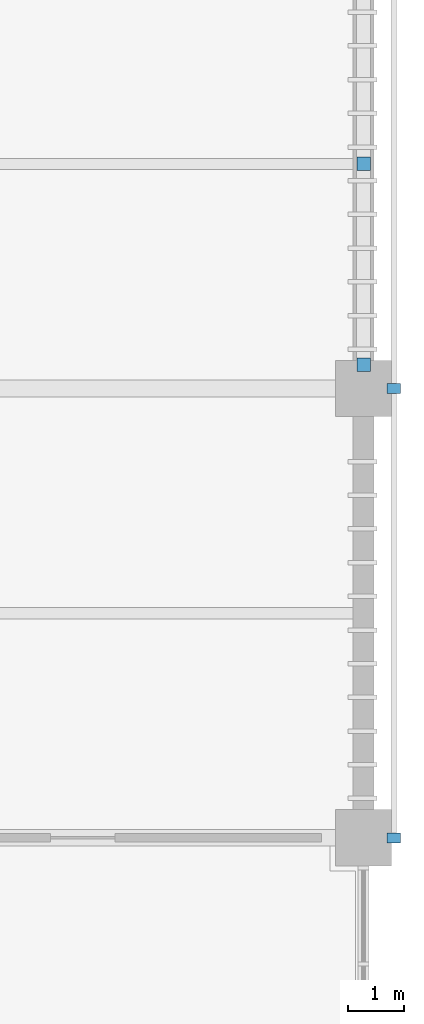
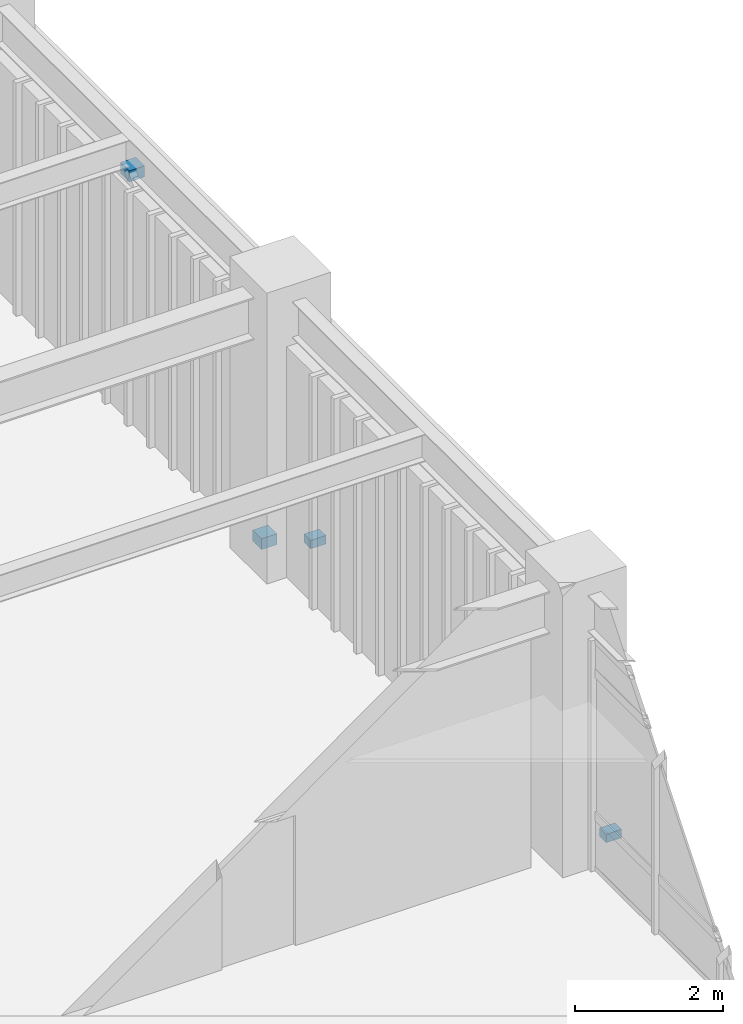
# One storey, part 91 of 117: 4 discrete accessories.
"""IFC4 building model written with IfcOpenShell, lengths in metres."""

from ifc_helpers import new_model, si_unit, direction, frame, origin, origin_2d, place, context, subcontext, project, spatial, rectangle, extrude, material, layer, layer_set, type_object, element, save


model = new_model("IFC4")

# Units and contexts
model_context = context("Model", 3, precision=1e-05, world=origin(), true_north=direction((0.0, 1.0)))
body_context = subcontext(model_context, "Body", "Model", "MODEL_VIEW")
ifc_project = project(units=[si_unit("LENGTHUNIT", "METRE"), si_unit("AREAUNIT", "SQUARE_METRE"), si_unit("VOLUMEUNIT", "CUBIC_METRE"), si_unit("PLANEANGLEUNIT", "RADIAN"), si_unit("MASSUNIT", "GRAM", prefix="KILO")], contexts=[model_context])

# Site, building, storey
site_placement = place(None, origin())
site = spatial("IfcSite", under=ifc_project, at=site_placement, CompositionType="ELEMENT")
building_placement = place(site_placement, origin())
building = spatial("IfcBuilding", under=site, at=building_placement, Name="Haebicheon Civic Stadium", CompositionType="ELEMENT")
storey_placement = place(building_placement, frame((0.0, 0.0, 4.800048828125)))
storey = spatial("IfcBuildingStorey", under=building, at=storey_placement, Name="L02", CompositionType="ELEMENT", Elevation=4.800048828125)

# Discrete accessories
ifc_material_1 = material(Name="White painted steel SM490", Category="steel")
ifc_layer_1 = layer(ifc_material_1, 0.179931640625, Name="White painted steel SM490")
ifc_layer_set_1 = layer_set([ifc_layer_1], Name="White painted steel SM490")
discrete_accessory_type_1 = type_object("IfcDiscreteAccessoryType", Name="BRK-END-PLT", PredefinedType="BRACKET", material=ifc_layer_set_1)
for number, where, z_axis, x_axis, name in (
    (1, (236.0, 56.419921875, -0.0498046875), (0.0, 0.0, 1.0), (1.0, 0.0, 0.0), "Brace L02-28-07 bolted end connection plate"),
    (2, (236.0, 60.0, 3.85009765625), (0.0, 0.0, 1.0), (1.0, 0.0, 0.0), "Brace L02-28-07 bolted end connection plate"),
):
    element("IfcDiscreteAccessory", number, at=place(storey_placement, frame(where, z_axis=z_axis, x_axis=x_axis)), inside=storey, type_object=discrete_accessory_type_1, material=ifc_layer_set_1, Name=name, PredefinedType="BRACKET", context=body_context, shape_type="SweptSolid", body=[
        extrude(rectangle(XDim=0.239990234375, YDim=0.239990234375, at=origin_2d()), origin(), (0.0, 0.0, 1.0), 0.179931640625),
    ])
ifc_material_2 = material(Name="Stainless steel 316", Category="steel")
ifc_layer_2 = layer(ifc_material_2, 0.139892578125, Name="Stainless steel 316")
ifc_layer_set_2 = layer_set([ifc_layer_2], Name="Stainless steel 316")
discrete_accessory_type_2 = type_object("IfcDiscreteAccessoryType", Name="BRK-LVR-CLEAT", PredefinedType="BRACKET", material=ifc_layer_set_2)
for number, where, z_axis, x_axis, name in (
    (3, (236.5400390625, 48.0, 0.009765625), (0.0, 0.0, 1.0), (1.0, 0.0, 0.0), "SCR-COMM L02 stainless bracket cleat 1A"),
    (4, (236.5400390625, 56.0, 0.009765625), (0.0, 0.0, 1.0), (1.0, 0.0, 0.0), "SCR-COMM L02 stainless bracket cleat 1B"),
):
    element("IfcDiscreteAccessory", number, at=place(storey_placement, frame(where, z_axis=z_axis, x_axis=x_axis)), inside=storey, type_object=discrete_accessory_type_2, material=ifc_layer_set_2, Name=name, PredefinedType="BRACKET", context=body_context, shape_type="SweptSolid", body=[
        extrude(rectangle(XDim=0.239990234375, YDim=0.179931640625, at=origin_2d()), origin(), (0.0, 0.0, 1.0), 0.139892578125),
    ])

save(model, "model.ifc")
